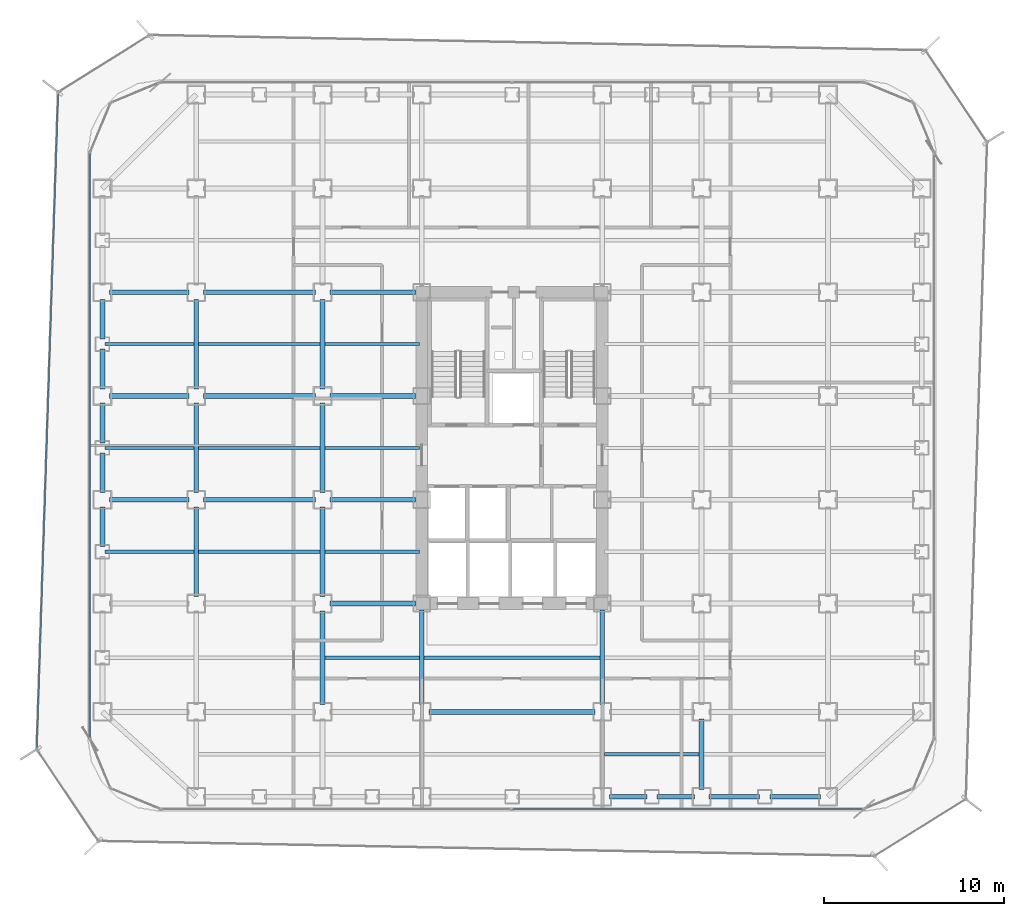
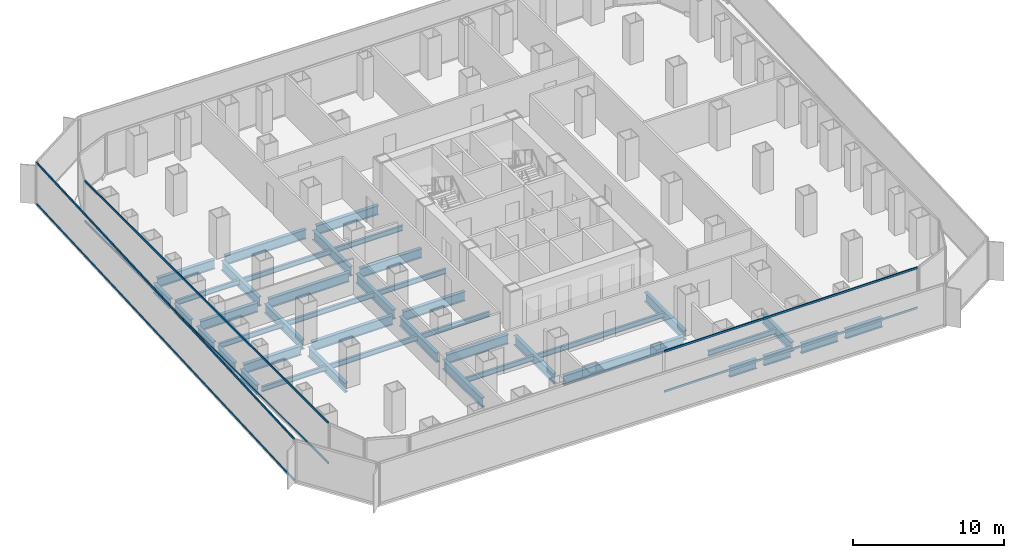
# One storey, part 5 of 21: 42 beams, 6 members, 3 elements without a shape of their own.
"""IFC4 building model written with IfcOpenShell, lengths in metres."""

from ifc_helpers import new_model, si_unit, direction, frame, origin, origin_2d, place, context, subcontext, project, spatial, hollow_rectangle, i_section, extrude, source, transform, mapped, material, layer, layer_set, material_profile, profile_set, type_object, element, aggregate, save


model = new_model("IFC4")

# Units and contexts
model_context = context("Model", 3, precision=1e-05, world=origin(), true_north=direction((0.0, 1.0)))
body_context = subcontext(model_context, "Body", "Model", "MODEL_VIEW")
ifc_project = project(units=[si_unit("LENGTHUNIT", "METRE"), si_unit("AREAUNIT", "SQUARE_METRE"), si_unit("VOLUMEUNIT", "CUBIC_METRE"), si_unit("PLANEANGLEUNIT", "RADIAN"), si_unit("MASSUNIT", "GRAM", prefix="KILO")], contexts=[model_context])

# Site, building, storey
site_placement = place(None, origin())
site = spatial("IfcSite", under=ifc_project, at=site_placement, CompositionType="ELEMENT")
building_placement = place(site_placement, origin())
building = spatial("IfcBuilding", under=site, at=building_placement, Name="Kolveth Station Tower", CompositionType="ELEMENT")
storey_placement = place(building_placement, frame((0.0, 0.0, 33.300048828125)))
storey = spatial("IfcBuildingStorey", under=building, at=storey_placement, Name="L08", CompositionType="ELEMENT", Elevation=33.300048828125)

# Beams
ifc_material_1 = material(Name="Steel S355", Category="steel")
ifc_material_profile_1 = material_profile(ifc_material_1, i_section(OverallWidth=0.26904296875, OverallDepth=0.77490234375, WebThickness=0.01708984375, FlangeThickness=0.0283203125, at=origin_2d()), Name="W760x220")
ifc_profile_set_1 = profile_set([ifc_material_profile_1], Name="Steel S355")
beam_type_1 = type_object("IfcBeamType", Name="Beam_SP1", PredefinedType="SPANDREL", material=ifc_profile_set_1)
shared_shape_1 = source(origin(), body_context, "Body", "SweptSolid", [
    extrude(i_section(OverallWidth=0.26904296875, OverallDepth=0.77490234375, WebThickness=0.01708984375, FlangeThickness=0.0283203125, at=origin_2d()), origin(), (0.0, 0.0, 1.0), 2.820068359375),
])
for number, where, z_axis, x_axis, name in (
    (1, (34.39990234375, 0.800048828125, -0.66748046875), (1.0, 0.0, 0.0), (0.0, 1.0, 0.0), "L08 Perimeter Spandrel BM-L08-PS-9"),
    (2, (37.780029296875, 0.800048828125, -0.66748046875), (1.0, 0.0, 0.0), (0.0, 1.0, 0.0), "L08 Perimeter Spandrel BM-L08-PS-10"),
):
    element("IfcBeam", number, at=place(storey_placement, frame(where, z_axis=z_axis, x_axis=x_axis)), inside=storey, type_object=beam_type_1, Name=name, PredefinedType="SPANDREL", context=body_context, shape_type="MappedRepresentation", body=[
        mapped(shared_shape_1, transform((0.0, 0.0, 0.0), x_axis=(1.0, 0.0, 0.0), y_axis=(0.0, 1.0, 0.0), z_axis=(0.0, 0.0, 1.0), scale=1.0)),
    ])
shared_shape_2 = source(origin(), body_context, "Body", "SweptSolid", [
    extrude(i_section(OverallWidth=0.26904296875, OverallDepth=0.77490234375, WebThickness=0.01708984375, FlangeThickness=0.0283203125, at=origin_2d()), origin(), (0.0, 0.0, 1.0), 2.070068359375),
])
for number, where, z_axis, x_axis, name in (
    (3, (28.89990234375, 0.800048828125, -0.66748046875), (1.0, 0.0, 0.0), (0.0, 1.0, 0.0), "L08 Perimeter Spandrel BM-L08-PS-7"),
    (4, (31.530029296875, 0.800048828125, -0.66748046875), (1.0, 0.0, 0.0), (0.0, 1.0, 0.0), "L08 Perimeter Spandrel BM-L08-PS-8"),
):
    element("IfcBeam", number, at=place(storey_placement, frame(where, z_axis=z_axis, x_axis=x_axis)), inside=storey, type_object=beam_type_1, Name=name, PredefinedType="SPANDREL", context=body_context, shape_type="MappedRepresentation", body=[
        mapped(shared_shape_2, transform((0.0, 0.0, 0.0), x_axis=(1.0, 0.0, 0.0), y_axis=(0.0, 1.0, 0.0), z_axis=(0.0, 0.0, 1.0), scale=1.0)),
    ])
shared_shape_3 = source(origin(), body_context, "Body", "SweptSolid", [
    extrude(i_section(OverallWidth=0.26904296875, OverallDepth=0.77490234375, WebThickness=0.01708984375, FlangeThickness=0.0283203125, at=origin_2d()), origin(), (0.0, 0.0, 1.0), 2.2001953125),
])
for number, where, z_axis, x_axis, name in (
    (5, (0.800048828125, 20.39990234375, -0.66748046875), (0.0, 1.0, 0.0), (-1.0, 0.0, 0.0), "L08 Perimeter Spandrel BM-L08-PW-6"),
    (6, (0.800048828125, 23.39990234375, -0.66748046875), (0.0, 1.0, 0.0), (-1.0, 0.0, 0.0), "L08 Perimeter Spandrel BM-L08-PW-7"),
):
    element("IfcBeam", number, at=place(storey_placement, frame(where, z_axis=z_axis, x_axis=x_axis)), inside=storey, type_object=beam_type_1, Name=name, PredefinedType="SPANDREL", context=body_context, shape_type="MappedRepresentation", body=[
        mapped(shared_shape_3, transform((0.0, 0.0, 0.0), x_axis=(1.0, 0.0, 0.0), y_axis=(0.0, 1.0, 0.0), z_axis=(0.0, 0.0, 1.0), scale=1.0)),
    ])
shared_shape_4 = source(origin(), body_context, "Body", "SweptSolid", [
    extrude(i_section(OverallWidth=0.26904296875, OverallDepth=0.77490234375, WebThickness=0.01708984375, FlangeThickness=0.0283203125, at=origin_2d()), origin(), (0.0, 0.0, 1.0), 2.190185546875),
])
for number, where, z_axis, x_axis, name in (
    (7, (0.800048828125, 14.659912109375, -0.66748046875), (0.0, 1.0, 0.0), (-1.0, 0.0, 0.0), "L08 Perimeter Spandrel BM-L08-PW-4"),
    (8, (0.800048828125, 17.64990234375, -0.66748046875), (0.0, 1.0, 0.0), (-1.0, 0.0, 0.0), "L08 Perimeter Spandrel BM-L08-PW-5"),
    (9, (0.800048828125, 26.159912109375, -0.66748046875), (0.0, 1.0, 0.0), (-1.0, 0.0, 0.0), "L08 Perimeter Spandrel BM-L08-PW-8"),
):
    element("IfcBeam", number, at=place(storey_placement, frame(where, z_axis=z_axis, x_axis=x_axis)), inside=storey, type_object=beam_type_1, Name=name, PredefinedType="SPANDREL", context=body_context, shape_type="MappedRepresentation", body=[
        mapped(shared_shape_4, transform((0.0, 0.0, 0.0), x_axis=(1.0, 0.0, 0.0), y_axis=(0.0, 1.0, 0.0), z_axis=(0.0, 0.0, 1.0), scale=1.0)),
    ])
ifc_material_profile_2 = material_profile(ifc_material_1, i_section(OverallWidth=0.26708984375, OverallDepth=0.76611328125, WebThickness=0.014892578125, FlangeThickness=0.023681640625, at=origin_2d()), Name="W760x185")
ifc_profile_set_2 = profile_set([ifc_material_profile_2], Name="Steel S355")
beam_type_2 = type_object("IfcBeamType", Name="Beam_B3", PredefinedType="BEAM", material=ifc_profile_set_2)
shared_shape_5 = source(origin(), body_context, "Body", "SweptSolid", [
    extrude(i_section(OverallWidth=0.26708984375, OverallDepth=0.76611328125, WebThickness=0.014892578125, FlangeThickness=0.023681640625, at=origin_2d()), origin(), (0.0, 0.0, 1.0), 4.400146484375),
])
for number, where, z_axis, x_axis, name in (
    (10, (1.199951171875, 17.25, -0.6630859375), (1.0, 0.0, 0.0), (0.0, 1.0, 0.0), "L08 Primary Girder BM-L08-GY172-1"),
    (11, (1.199951171875, 23.0, -0.6630859375), (1.0, 0.0, 0.0), (0.0, 1.0, 0.0), "L08 Primary Girder BM-L08-GY230-1"),
    (12, (1.199951171875, 28.75, -0.6630859375), (1.0, 0.0, 0.0), (0.0, 1.0, 0.0), "L08 Primary Girder BM-L08-GY287-1"),
):
    element("IfcBeam", number, at=place(storey_placement, frame(where, z_axis=z_axis, x_axis=x_axis)), inside=storey, type_object=beam_type_2, Name=name, PredefinedType="BEAM", context=body_context, shape_type="MappedRepresentation", body=[
        mapped(shared_shape_5, transform((0.0, 0.0, 0.0), x_axis=(1.0, 0.0, 0.0), y_axis=(0.0, 1.0, 0.0), z_axis=(0.0, 0.0, 1.0), scale=1.0)),
    ])
shared_shape_6 = source(origin(), body_context, "Body", "SweptSolid", [
    extrude(i_section(OverallWidth=0.26708984375, OverallDepth=0.76611328125, WebThickness=0.014892578125, FlangeThickness=0.023681640625, at=origin_2d()), origin(), (0.0, 0.0, 1.0), 6.2001953125),
])
for number, where, z_axis, x_axis, name in (
    (13, (6.39990234375, 17.25, -0.6630859375), (1.0, 0.0, 0.0), (0.0, 1.0, 0.0), "L08 Primary Girder BM-L08-GY172-2"),
    (14, (6.39990234375, 23.0, -0.6630859375), (1.0, 0.0, 0.0), (0.0, 1.0, 0.0), "L08 Primary Girder BM-L08-GY230-2"),
    (15, (6.39990234375, 28.75, -0.6630859375), (1.0, 0.0, 0.0), (0.0, 1.0, 0.0), "L08 Primary Girder BM-L08-GY287-2"),
):
    element("IfcBeam", number, at=place(storey_placement, frame(where, z_axis=z_axis, x_axis=x_axis)), inside=storey, type_object=beam_type_2, Name=name, PredefinedType="BEAM", context=body_context, shape_type="MappedRepresentation", body=[
        mapped(shared_shape_6, transform((0.0, 0.0, 0.0), x_axis=(1.0, 0.0, 0.0), y_axis=(0.0, 1.0, 0.0), z_axis=(0.0, 0.0, 1.0), scale=1.0)),
    ])
shared_shape_7 = source(origin(), body_context, "Body", "SweptSolid", [
    extrude(i_section(OverallWidth=0.26708984375, OverallDepth=0.76611328125, WebThickness=0.014892578125, FlangeThickness=0.023681640625, at=origin_2d()), origin(), (0.0, 0.0, 1.0), 9.2001953125),
])
beam_1_placement = place(storey_placement, frame((18.89990234375, 5.5, -0.6630859375), z_axis=(1.0, 0.0, 0.0), x_axis=(0.0, 1.0, 0.0)))
element("IfcBeam", 16, at=beam_1_placement, inside=storey, type_object=beam_type_2, Name="L08 Primary Girder BM-L08-GY55-4", PredefinedType="BEAM", context=body_context, shape_type="MappedRepresentation", body=[
    mapped(shared_shape_7, transform((0.0, 0.0, 0.0), x_axis=(1.0, 0.0, 0.0), y_axis=(0.0, 1.0, 0.0), z_axis=(0.0, 0.0, 1.0), scale=1.0)),
])
shared_shape_8 = source(origin(), body_context, "Body", "SweptSolid", [
    extrude(i_section(OverallWidth=0.26708984375, OverallDepth=0.76611328125, WebThickness=0.014892578125, FlangeThickness=0.023681640625, at=origin_2d()), origin(), (0.0, 0.0, 1.0), 4.739990234375),
])
for number, where, z_axis, x_axis, name in (
    (17, (13.39990234375, 11.5, -0.6630859375), (1.0, 0.0, 0.0), (0.0, 1.0, 0.0), "L08 Primary Girder BM-L08-GY115-3"),
    (18, (13.39990234375, 17.25, -0.6630859375), (1.0, 0.0, 0.0), (0.0, 1.0, 0.0), "L08 Primary Girder BM-L08-GY172-3"),
    (19, (13.39990234375, 23.0, -0.6630859375), (1.0, 0.0, 0.0), (0.0, 1.0, 0.0), "L08 Primary Girder BM-L08-GY230-3"),
    (20, (13.39990234375, 28.75, -0.6630859375), (1.0, 0.0, 0.0), (0.0, 1.0, 0.0), "L08 Primary Girder BM-L08-GY287-3"),
):
    element("IfcBeam", number, at=place(storey_placement, frame(where, z_axis=z_axis, x_axis=x_axis)), inside=storey, type_object=beam_type_2, Name=name, PredefinedType="BEAM", context=body_context, shape_type="MappedRepresentation", body=[
        mapped(shared_shape_8, transform((0.0, 0.0, 0.0), x_axis=(1.0, 0.0, 0.0), y_axis=(0.0, 1.0, 0.0), z_axis=(0.0, 0.0, 1.0), scale=1.0)),
    ])
shared_shape_9 = source(origin(), body_context, "Body", "SweptSolid", [
    extrude(i_section(OverallWidth=0.26708984375, OverallDepth=0.76611328125, WebThickness=0.014892578125, FlangeThickness=0.023681640625, at=origin_2d()), origin(), (0.0, 0.0, 1.0), 3.900146484375),
])
beam_2_placement = place(storey_placement, frame((34.0, 1.199951171875, -0.6630859375), z_axis=(0.0, 1.0, 0.0), x_axis=(-1.0, 0.0, 0.0)))
element("IfcBeam", 21, at=beam_2_placement, inside=storey, type_object=beam_type_2, Name="L08 Primary Girder BM-L08-GX340-1", PredefinedType="BEAM", context=body_context, shape_type="MappedRepresentation", body=[
    mapped(shared_shape_9, transform((0.0, 0.0, 0.0), x_axis=(1.0, 0.0, 0.0), y_axis=(0.0, 1.0, 0.0), z_axis=(0.0, 0.0, 1.0), scale=1.0)),
])
shared_shape_10 = source(origin(), body_context, "Body", "SweptSolid", [
    extrude(i_section(OverallWidth=0.26708984375, OverallDepth=0.76611328125, WebThickness=0.014892578125, FlangeThickness=0.023681640625, at=origin_2d()), origin(), (0.0, 0.0, 1.0), 5.2001953125),
])
beam_3_placement = place(storey_placement, frame((13.0, 5.89990234375, -0.6630859375), z_axis=(0.0, 1.0, 0.0), x_axis=(-1.0, 0.0, 0.0)))
element("IfcBeam", 22, at=beam_3_placement, inside=storey, type_object=beam_type_2, Name="L08 Primary Girder BM-L08-GX130-2", PredefinedType="BEAM", context=body_context, shape_type="MappedRepresentation", body=[
    mapped(shared_shape_10, transform((0.0, 0.0, 0.0), x_axis=(1.0, 0.0, 0.0), y_axis=(0.0, 1.0, 0.0), z_axis=(0.0, 0.0, 1.0), scale=1.0)),
])
shared_shape_11 = source(origin(), body_context, "Body", "SweptSolid", [
    extrude(i_section(OverallWidth=0.26708984375, OverallDepth=0.76611328125, WebThickness=0.014892578125, FlangeThickness=0.023681640625, at=origin_2d()), origin(), (0.0, 0.0, 1.0), 4.9501953125),
])
for number, where, z_axis, x_axis, name in (
    (23, (6.0, 11.89990234375, -0.6630859375), (0.0, 1.0, 0.0), (-1.0, 0.0, 0.0), "L08 Primary Girder BM-L08-GX60-3"),
    (24, (6.0, 17.64990234375, -0.6630859375), (0.0, 1.0, 0.0), (-1.0, 0.0, 0.0), "L08 Primary Girder BM-L08-GX60-4"),
    (25, (6.0, 23.39990234375, -0.6630859375), (0.0, 1.0, 0.0), (-1.0, 0.0, 0.0), "L08 Primary Girder BM-L08-GX60-5"),
    (26, (13.0, 11.89990234375, -0.6630859375), (0.0, 1.0, 0.0), (-1.0, 0.0, 0.0), "L08 Primary Girder BM-L08-GX130-3"),
    (27, (13.0, 17.64990234375, -0.6630859375), (0.0, 1.0, 0.0), (-1.0, 0.0, 0.0), "L08 Primary Girder BM-L08-GX130-4"),
    (28, (13.0, 23.39990234375, -0.6630859375), (0.0, 1.0, 0.0), (-1.0, 0.0, 0.0), "L08 Primary Girder BM-L08-GX130-5"),
):
    element("IfcBeam", number, at=place(storey_placement, frame(where, z_axis=z_axis, x_axis=x_axis)), inside=storey, type_object=beam_type_2, Name=name, PredefinedType="BEAM", context=body_context, shape_type="MappedRepresentation", body=[
        mapped(shared_shape_11, transform((0.0, 0.0, 0.0), x_axis=(1.0, 0.0, 0.0), y_axis=(0.0, 1.0, 0.0), z_axis=(0.0, 0.0, 1.0), scale=1.0)),
    ])
shared_shape_12 = source(origin(), body_context, "Body", "SweptSolid", [
    extrude(i_section(OverallWidth=0.26708984375, OverallDepth=0.76611328125, WebThickness=0.014892578125, FlangeThickness=0.023681640625, at=origin_2d()), origin(), (0.0, 0.0, 1.0), 5.239990234375),
])
for number, where, z_axis, x_axis, name in (
    (29, (18.5, 5.89990234375, -0.6630859375), (0.0, 1.0, 0.0), (-1.0, 0.0, 0.0), "L08 Primary Girder BM-L08-GX185-2"),
    (30, (28.5, 5.89990234375, -0.6630859375), (0.0, 1.0, 0.0), (-1.0, 0.0, 0.0), "L08 Primary Girder BM-L08-GX285-2"),
):
    element("IfcBeam", number, at=place(storey_placement, frame(where, z_axis=z_axis, x_axis=x_axis)), inside=storey, type_object=beam_type_2, Name=name, PredefinedType="BEAM", context=body_context, shape_type="MappedRepresentation", body=[
        mapped(shared_shape_12, transform((0.0, 0.0, 0.0), x_axis=(1.0, 0.0, 0.0), y_axis=(0.0, 1.0, 0.0), z_axis=(0.0, 0.0, 1.0), scale=1.0)),
    ])
ifc_material_profile_3 = material_profile(ifc_material_1, i_section(OverallWidth=0.177978515625, OverallDepth=0.406982421875, WebThickness=0.0078125, FlangeThickness=0.0126953125, at=origin_2d()), Name="W410x60")
ifc_profile_set_3 = profile_set([ifc_material_profile_3], Name="Steel S355")
beam_type_3 = type_object("IfcBeamType", Name="Beam_J1", PredefinedType="JOIST", material=ifc_profile_set_3)
shared_shape_13 = source(origin(), body_context, "Body", "SweptSolid", [
    extrude(i_section(OverallWidth=0.177978515625, OverallDepth=0.406982421875, WebThickness=0.0078125, FlangeThickness=0.0126953125, at=origin_2d()), origin(), (0.0, 0.0, 1.0), 4.935791015625),
])
for number, where, z_axis, x_axis, name in (
    (31, (0.9326171875, 14.375, -0.483642578125), (1.0, 0.0, 0.0), (0.0, 1.0, 0.0), "L08 Secondary Joist JST-L08-1-3"),
    (32, (0.9326171875, 20.125, -0.483642578125), (1.0, 0.0, 0.0), (0.0, 1.0, 0.0), "L08 Secondary Joist JST-L08-1-4"),
    (33, (0.9326171875, 25.875, -0.483642578125), (1.0, 0.0, 0.0), (0.0, 1.0, 0.0), "L08 Secondary Joist JST-L08-1-5"),
):
    element("IfcBeam", number, at=place(storey_placement, frame(where, z_axis=z_axis, x_axis=x_axis)), inside=storey, type_object=beam_type_3, Name=name, PredefinedType="JOIST", context=body_context, shape_type="MappedRepresentation", body=[
        mapped(shared_shape_13, transform((0.0, 0.0, 0.0), x_axis=(1.0, 0.0, 0.0), y_axis=(0.0, 1.0, 0.0), z_axis=(0.0, 0.0, 1.0), scale=1.0)),
    ])
shared_shape_14 = source(origin(), body_context, "Body", "SweptSolid", [
    extrude(i_section(OverallWidth=0.177978515625, OverallDepth=0.406982421875, WebThickness=0.0078125, FlangeThickness=0.0126953125, at=origin_2d()), origin(), (0.0, 0.0, 1.0), 6.73681640625),
])
for number, where, z_axis, x_axis, name in (
    (34, (6.131591796875, 14.375, -0.483642578125), (1.0, 0.0, 0.0), (0.0, 1.0, 0.0), "L08 Secondary Joist JST-L08-2-3"),
    (35, (6.131591796875, 20.125, -0.483642578125), (1.0, 0.0, 0.0), (0.0, 1.0, 0.0), "L08 Secondary Joist JST-L08-2-4"),
    (36, (6.131591796875, 25.875, -0.483642578125), (1.0, 0.0, 0.0), (0.0, 1.0, 0.0), "L08 Secondary Joist JST-L08-2-5"),
):
    element("IfcBeam", number, at=place(storey_placement, frame(where, z_axis=z_axis, x_axis=x_axis)), inside=storey, type_object=beam_type_3, Name=name, PredefinedType="JOIST", context=body_context, shape_type="MappedRepresentation", body=[
        mapped(shared_shape_14, transform((0.0, 0.0, 0.0), x_axis=(1.0, 0.0, 0.0), y_axis=(0.0, 1.0, 0.0), z_axis=(0.0, 0.0, 1.0), scale=1.0)),
    ])
shared_shape_15 = source(origin(), body_context, "Body", "SweptSolid", [
    extrude(i_section(OverallWidth=0.177978515625, OverallDepth=0.406982421875, WebThickness=0.0078125, FlangeThickness=0.0126953125, at=origin_2d()), origin(), (0.0, 0.0, 1.0), 5.23681640625),
])
for number, where, z_axis, x_axis, name in (
    (37, (13.131591796875, 8.5, -0.483642578125), (1.0, 0.0, 0.0), (0.0, 1.0, 0.0), "L08 Secondary Joist JST-L08-3-2"),
    (38, (13.131591796875, 14.375, -0.483642578125), (1.0, 0.0, 0.0), (0.0, 1.0, 0.0), "L08 Secondary Joist JST-L08-3-3"),
    (39, (13.131591796875, 20.125, -0.483642578125), (1.0, 0.0, 0.0), (0.0, 1.0, 0.0), "L08 Secondary Joist JST-L08-3-4"),
    (40, (13.131591796875, 25.875, -0.483642578125), (1.0, 0.0, 0.0), (0.0, 1.0, 0.0), "L08 Secondary Joist JST-L08-3-5"),
    (41, (28.631591796875, 3.14990234375, -0.483642578125), (1.0, 0.0, 0.0), (0.0, 1.0, 0.0), "L08 Secondary Joist JST-L08-5-1"),
):
    element("IfcBeam", number, at=place(storey_placement, frame(where, z_axis=z_axis, x_axis=x_axis)), inside=storey, type_object=beam_type_3, Name=name, PredefinedType="JOIST", context=body_context, shape_type="MappedRepresentation", body=[
        mapped(shared_shape_15, transform((0.0, 0.0, 0.0), x_axis=(1.0, 0.0, 0.0), y_axis=(0.0, 1.0, 0.0), z_axis=(0.0, 0.0, 1.0), scale=1.0)),
    ])
shared_shape_16 = source(origin(), body_context, "Body", "SweptSolid", [
    extrude(i_section(OverallWidth=0.177978515625, OverallDepth=0.406982421875, WebThickness=0.0078125, FlangeThickness=0.0126953125, at=origin_2d()), origin(), (0.0, 0.0, 1.0), 9.73681640625),
])
beam_4_placement = place(storey_placement, frame((18.631591796875, 8.5, -0.483642578125), z_axis=(1.0, 0.0, 0.0), x_axis=(0.0, 1.0, 0.0)))
element("IfcBeam", 42, at=beam_4_placement, inside=storey, type_object=beam_type_3, Name="L08 Secondary Joist JST-L08-4-2", PredefinedType="JOIST", context=body_context, shape_type="MappedRepresentation", body=[
    mapped(shared_shape_16, transform((0.0, 0.0, 0.0), x_axis=(1.0, 0.0, 0.0), y_axis=(0.0, 1.0, 0.0), z_axis=(0.0, 0.0, 1.0), scale=1.0)),
])

# Curtain wall, members
ifc_material_2 = material(Name="Aluminium 6063-T6 and low-E dark glass", Category="aluminium")
ifc_layer_1 = layer(ifc_material_2, 0.179931640625)
ifc_layer_set_1 = layer_set([ifc_layer_1], Name="Aluminium 6063-T6 and low-E dark glass")
curtain_wall_type_1 = type_object("IfcCurtainWallType", Name="CurtainWall_CW-Z1", PredefinedType="NOTDEFINED", material=ifc_layer_set_1)
curtain_wall_1_placement = place(storey_placement, origin())
curtain_wall_1 = element("IfcCurtainWall", 43, at=curtain_wall_1_placement, inside=storey, type_object=curtain_wall_type_1, Name="L08 Inner Thermal Curtain Wall 9", PredefinedType="NOTDEFINED")
ifc_material_3 = material(Name="Black anodized aluminium 6063-T6", Category="aluminium")
ifc_material_profile_4 = material_profile(ifc_material_3, hollow_rectangle(XDim=0.074951171875, YDim=0.159912109375, WallThickness=0.0048828125, at=origin_2d()), Name="ALU-75x160x5")
ifc_profile_set_4 = profile_set([ifc_material_profile_4], Name="Black anodized aluminium 6063-T6")
member_type_1 = type_object("IfcMemberType", Name="Transom_TR1", PredefinedType="USERDEFINED", material=ifc_profile_set_4)
shared_shape_17 = source(origin(), body_context, "Body", "SweptSolid", [
    extrude(hollow_rectangle(XDim=0.074951171875, YDim=0.159912109375, WallThickness=0.0048828125, at=origin_2d()), origin(), (0.0, 0.0, 1.0), 32.35009765625),
])
member_1_placement = place(storey_placement, frame((0.1201171875, 36.425048828125, 0.037353515625), z_axis=(0.0, -1.0, 0.0), x_axis=(1.0, 0.0, 0.0)))
member_1 = element("IfcMember", 44, at=member_1_placement, type_object=member_type_1, Name="CW-Z1 transom 1.1", ObjectType="TRANSOM", PredefinedType="USERDEFINED", context=body_context, shape_type="MappedRepresentation", body=[
    mapped(shared_shape_17, transform((0.0, 0.0, 0.0), x_axis=(1.0, 0.0, 0.0), y_axis=(0.0, 1.0, 0.0), z_axis=(0.0, 0.0, 1.0), scale=1.0)),
])
member_2_placement = place(storey_placement, frame((0.1201171875, 36.425048828125, 3.282470703125), z_axis=(0.0, -1.0, 0.0), x_axis=(1.0, 0.0, 0.0)))
member_2 = element("IfcMember", 45, at=member_2_placement, type_object=member_type_1, Name="CW-Z1 transom 1.2", ObjectType="TRANSOM", PredefinedType="USERDEFINED", context=body_context, shape_type="MappedRepresentation", body=[
    mapped(shared_shape_17, transform((0.0, 0.0, 0.0), x_axis=(1.0, 0.0, 0.0), y_axis=(0.0, 1.0, 0.0), z_axis=(0.0, 0.0, 1.0), scale=1.0)),
])
aggregate(curtain_wall_1, [member_1, member_2])

curtain_wall_2_placement = place(storey_placement, origin())
curtain_wall_2 = element("IfcCurtainWall", 46, at=curtain_wall_2_placement, inside=storey, type_object=curtain_wall_type_1, Name="L08 Inner Thermal Curtain Wall 12", PredefinedType="NOTDEFINED")
shared_shape_18 = source(origin(), body_context, "Body", "SweptSolid", [
    extrude(hollow_rectangle(XDim=0.074951171875, YDim=0.159912109375, WallThickness=0.0048828125, at=origin_2d()), origin(), (0.0, 0.0, 1.0), 19.387451171875),
])
member_3_placement = place(storey_placement, frame((23.53759765625, 0.1201171875, 0.037353515625), z_axis=(1.0, 0.0, 0.0), x_axis=(0.0, 1.0, 0.0)))
member_3 = element("IfcMember", 47, at=member_3_placement, type_object=member_type_1, Name="CW-Z1 transom 2.1", ObjectType="TRANSOM", PredefinedType="USERDEFINED", context=body_context, shape_type="MappedRepresentation", body=[
    mapped(shared_shape_18, transform((0.0, 0.0, 0.0), x_axis=(1.0, 0.0, 0.0), y_axis=(0.0, 1.0, 0.0), z_axis=(0.0, 0.0, 1.0), scale=1.0)),
])
member_4_placement = place(storey_placement, frame((23.53759765625, 0.1201171875, 3.282470703125), z_axis=(1.0, 0.0, 0.0), x_axis=(0.0, 1.0, 0.0)))
member_4 = element("IfcMember", 48, at=member_4_placement, type_object=member_type_1, Name="CW-Z1 transom 2.2", ObjectType="TRANSOM", PredefinedType="USERDEFINED", context=body_context, shape_type="MappedRepresentation", body=[
    mapped(shared_shape_18, transform((0.0, 0.0, 0.0), x_axis=(1.0, 0.0, 0.0), y_axis=(0.0, 1.0, 0.0), z_axis=(0.0, 0.0, 1.0), scale=1.0)),
])
aggregate(curtain_wall_2, [member_3, member_4])

ifc_material_4 = material(Name="Black anodized aluminium 6063-T6 and dark solar glass", Category="aluminium")
ifc_layer_2 = layer(ifc_material_4, 0.159912109375)
ifc_layer_set_2 = layer_set([ifc_layer_2], Name="Black anodized aluminium 6063-T6 and dark solar glass")
curtain_wall_type_2 = type_object("IfcCurtainWallType", Name="OUTER SKIN CW-OS", PredefinedType="NOTDEFINED", material=ifc_layer_set_2)
curtain_wall_3_placement = place(storey_placement, origin())
curtain_wall_3 = element("IfcCurtainWall", 49, at=curtain_wall_3_placement, inside=storey, type_object=curtain_wall_type_2, Name="L08 Outer Ventilated Skin Curtain Wall 6", PredefinedType="NOTDEFINED")
ifc_material_profile_5 = material_profile(ifc_material_3, hollow_rectangle(XDim=0.080078125, YDim=0.14990234375, WallThickness=0.0048828125, at=origin_2d()), Name="ALU-80x150x5")
ifc_profile_set_5 = profile_set([ifc_material_profile_5], Name="Black anodized aluminium 6063-T6")
member_type_2 = type_object("IfcMemberType", Name="Transom_TR-OS", PredefinedType="USERDEFINED", material=ifc_profile_set_5)
shared_shape_19 = source(origin(), body_context, "Body", "SweptSolid", [
    extrude(hollow_rectangle(XDim=0.080078125, YDim=0.14990234375, WallThickness=0.0048828125, at=origin_2d()), origin(), (0.0, 0.0, 1.0), 36.236328125),
])
member_5_placement = place(storey_placement, frame((-1.64990234375, 39.74169921875, 0.0400390625), z_axis=(-0.032582374483, -0.999469053484, 0.0), x_axis=(0.999469053484, -0.032582374483, 0.0)))
member_5 = element("IfcMember", 50, at=member_5_placement, type_object=member_type_2, Name="CW-OS transom 1.1", ObjectType="TRANSOM", PredefinedType="USERDEFINED", context=body_context, shape_type="MappedRepresentation", body=[
    mapped(shared_shape_19, transform((0.0, 0.0, 0.0), x_axis=(1.0, 0.0, 0.0), y_axis=(0.0, 1.0, 0.0), z_axis=(0.0, 0.0, 1.0), scale=1.0)),
])
member_6_placement = place(storey_placement, frame((-1.64990234375, 39.74169921875, 3.349853515625), z_axis=(-0.032582374483, -0.999469053484, 0.0), x_axis=(0.999469053484, -0.032582374483, 0.0)))
member_6 = element("IfcMember", 51, at=member_6_placement, type_object=member_type_2, Name="CW-OS transom 1.2", ObjectType="TRANSOM", PredefinedType="USERDEFINED", context=body_context, shape_type="MappedRepresentation", body=[
    mapped(shared_shape_19, transform((0.0, 0.0, 0.0), x_axis=(1.0, 0.0, 0.0), y_axis=(0.0, 1.0, 0.0), z_axis=(0.0, 0.0, 1.0), scale=1.0)),
])
aggregate(curtain_wall_3, [member_5, member_6])

save(model, "model.ifc")
